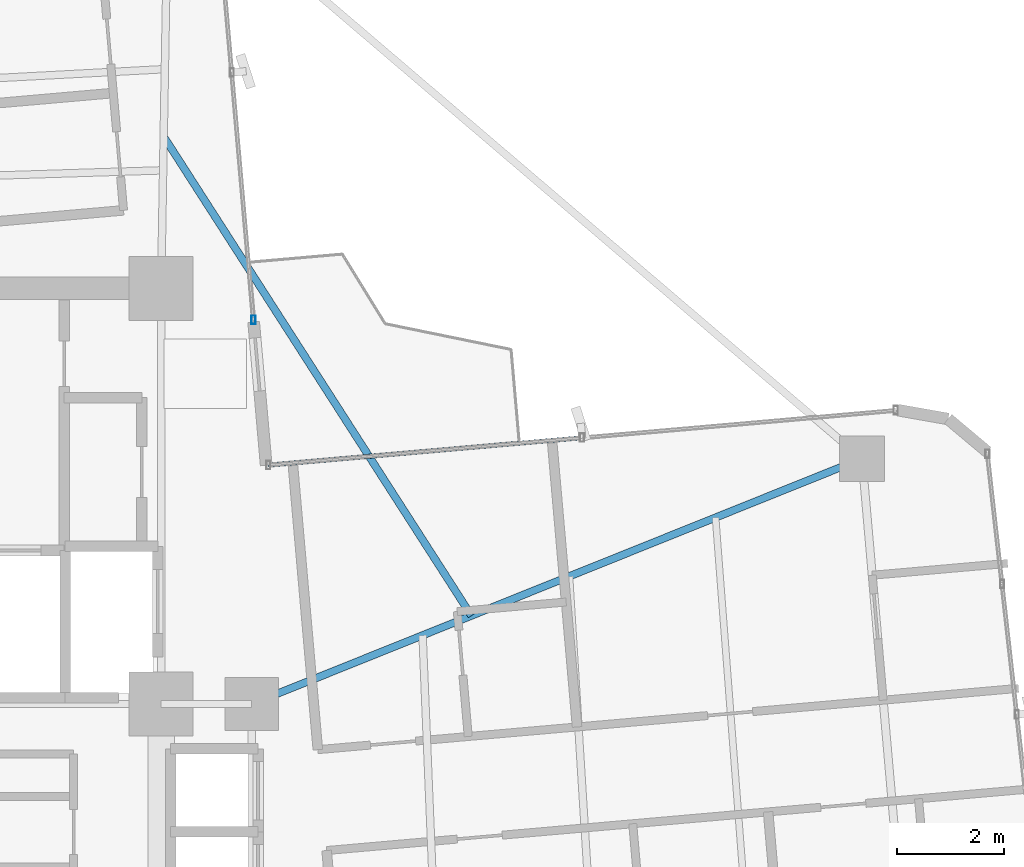
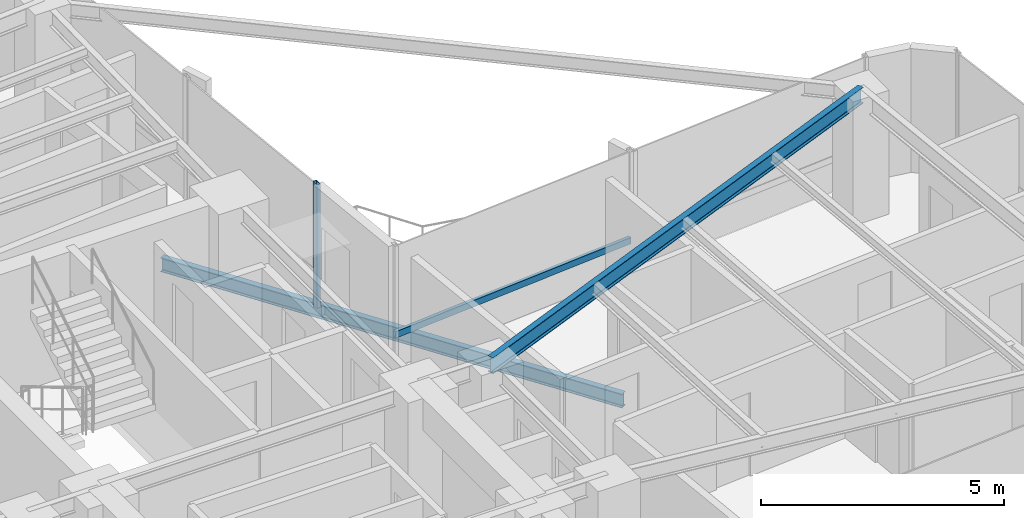
# One storey, part 12 of 24: 2 beams, 2 members, 2 elements without a shape of their own.
"""IFC4 building model written with IfcOpenShell, lengths in metres."""

from ifc_helpers import new_model, si_unit, direction, frame, origin, origin_2d, place, context, subcontext, project, spatial, hollow_rectangle, i_section, extrude, source, transform, mapped, material, material_profile, profile_set, type_object, element, aggregate, save


model = new_model("IFC4")

# Units and contexts
model_context = context("Model", 3, precision=1e-05, world=origin(), true_north=direction((0.0, 1.0)))
body_context = subcontext(model_context, "Body", "Model", "MODEL_VIEW")
ifc_project = project(units=[si_unit("LENGTHUNIT", "METRE"), si_unit("AREAUNIT", "SQUARE_METRE"), si_unit("VOLUMEUNIT", "CUBIC_METRE"), si_unit("PLANEANGLEUNIT", "RADIAN"), si_unit("MASSUNIT", "GRAM", prefix="KILO")], contexts=[model_context])

# Site, building, storey
site_placement = place(None, origin())
site = spatial("IfcSite", under=ifc_project, at=site_placement, CompositionType="ELEMENT")
building_placement = place(site_placement, origin())
building = spatial("IfcBuilding", under=site, at=building_placement, Name="Sahyath Konkavel Grand Hotel", CompositionType="ELEMENT")
storey_placement = place(building_placement, frame((0.0, 0.0, 188.60009765625)))
storey = spatial("IfcBuildingStorey", under=building, at=storey_placement, Name="L52", CompositionType="ELEMENT", Elevation=188.60009765625)

# Beam
ifc_material_1 = material(Name="Steel E350", Category="steel")
ifc_material_profile_1 = material_profile(ifc_material_1, i_section(OverallWidth=0.139892578125, OverallDepth=0.39990234375, WebThickness=0.0087890625, FlangeThickness=0.01611328125, FilletRadius=0.013916015625, at=origin_2d()), Name="ISMB 400")
ifc_profile_set_1 = profile_set([ifc_material_profile_1], Name="Steel E350")
beam_type_1 = type_object("IfcBeamType", Name="BM-ISMB400", PredefinedType="BEAM", material=ifc_profile_set_1)
shared_shape_1 = source(origin(), body_context, "Body", "SweptSolid", [
    extrude(i_section(OverallWidth=0.139892578125, OverallDepth=0.39990234375, WebThickness=0.0087890625, FlangeThickness=0.01611328125, FilletRadius=0.013916015625, at=origin_2d()), origin(), (0.0, 0.0, 1.0), 12.344970703125),
])
beam_1_placement = place(storey_placement, frame((5.5, 2.39990234375, 2.909912109375), z_axis=(0.927837014101, 0.372985891507, 0.0), x_axis=(-0.372985891507, 0.927837014101, 0.0)))
element("IfcBeam", 1, at=beam_1_placement, inside=storey, type_object=beam_type_1, Name="L52 Cruciform Radial Girder EB", PredefinedType="BEAM", context=body_context, shape_type="MappedRepresentation", body=[
    mapped(shared_shape_1, transform((0.0, 0.0, 0.0), scale=1.0)),
])

# Curtain wall, member
ifc_material_2 = material(Name="Anodised Bronze Aluminium & Low-E Glazing", Category="aluminium")
curtain_wall_type = type_object("IfcCurtainWallType", Name="CW-ZONE3", PredefinedType="NOTDEFINED", material=ifc_material_2)
curtain_wall_1_placement = place(storey_placement, origin())
curtain_wall_1 = element("IfcCurtainWall", 2, at=curtain_wall_1_placement, inside=storey, type_object=curtain_wall_type, Name="L52 Unitised Curtain Wall F8", PredefinedType="NOTDEFINED")
ifc_material_3 = material(Name="Anodised Bronze Aluminium", Category="aluminium")
ifc_material_profile_2 = material_profile(ifc_material_3, hollow_rectangle(XDim=0.080078125, YDim=0.159912109375, WallThickness=0.006103515625, at=origin_2d()), Name="RHS 160x80x6")
ifc_profile_set_2 = profile_set([ifc_material_profile_2], Name="Anodised Bronze Aluminium")
member_type_1 = type_object("IfcMemberType", Name="CW-MUL-160", PredefinedType="MULLION", material=ifc_profile_set_2)
shared_shape_2 = source(origin(), body_context, "Body", "SweptSolid", [
    extrude(hollow_rectangle(XDim=0.080078125, YDim=0.159912109375, WallThickness=0.006103515625, at=origin_2d()), origin(), (0.0, 0.0, 1.0), 3.10986328125),
])
member_1_placement = place(storey_placement, frame((5.53369140625, 9.60888671875, 0.0), z_axis=(0.0, 0.0, 1.0), x_axis=(1.0, 0.0, 0.0)))
member_1 = element("IfcMember", 3, at=member_1_placement, type_object=member_type_1, Name="L52 Curtain Wall Mullion F8-0", PredefinedType="MULLION", context=body_context, shape_type="MappedRepresentation", body=[
    mapped(shared_shape_2, transform((0.0, 0.0, 0.0), scale=1.0)),
])
aggregate(curtain_wall_1, [member_1])

curtain_wall_2_placement = place(storey_placement, origin())
curtain_wall_2 = element("IfcCurtainWall", 4, at=curtain_wall_2_placement, inside=storey, type_object=curtain_wall_type, Name="L52 Unitised Curtain Wall F7", PredefinedType="NOTDEFINED")
ifc_material_profile_3 = material_profile(ifc_material_3, hollow_rectangle(XDim=0.080078125, YDim=0.159912109375, WallThickness=0.006103515625, at=origin_2d()), Name="RHS 160x80x6")
ifc_profile_set_3 = profile_set([ifc_material_profile_3], Name="Anodised Bronze Aluminium")
member_type_2 = type_object("IfcMemberType", Name="CW-TRN-160", PredefinedType="USERDEFINED", material=ifc_profile_set_3)
shared_shape_3 = source(origin(), body_context, "Body", "SweptSolid", [
    extrude(hollow_rectangle(XDim=0.080078125, YDim=0.159912109375, WallThickness=0.006103515625, at=origin_2d()), origin(), (0.0, 0.0, 1.0), 5.909912109375),
])
member_2_placement = place(storey_placement, frame((11.69970703125, 7.39794921875, 0.849853515625), z_axis=(-0.996193941691, -0.087164388014, 0.0), x_axis=(0.087164388014, -0.996193941691, 0.0)))
member_2 = element("IfcMember", 5, at=member_2_placement, type_object=member_type_2, Name="L52 Curtain Wall Transom F7-1-spandrel", ObjectType="TRANSOM", PredefinedType="USERDEFINED", context=body_context, shape_type="MappedRepresentation", body=[
    mapped(shared_shape_3, transform((0.0, 0.0, 0.0), scale=1.0)),
])
aggregate(curtain_wall_2, [member_2])

# Beam
ifc_material_profile_4 = material_profile(ifc_material_1, i_section(OverallWidth=0.139892578125, OverallDepth=0.35009765625, WebThickness=0.008056640625, FlangeThickness=0.01416015625, FilletRadius=0.013916015625, at=origin_2d()), Name="ISMB 350")
ifc_profile_set_4 = profile_set([ifc_material_profile_4], Name="Steel E350")
beam_type_2 = type_object("IfcBeamType", Name="BM-BALC-CANT", PredefinedType="BEAM", material=ifc_profile_set_4)
shared_shape_4 = source(origin(), body_context, "Body", "SweptSolid", [
    extrude(i_section(OverallWidth=0.139892578125, OverallDepth=0.35009765625, WebThickness=0.008056640625, FlangeThickness=0.01416015625, FilletRadius=0.013916015625, at=origin_2d()), origin(), (0.0, 0.0, 1.0), 10.685302734375),
])
beam_2_placement = place(storey_placement, frame((9.62353515625, 4.0576171875, -0.4150390625), z_axis=(-0.540404181048, 0.841405562797, 0.0), x_axis=(-0.841405562797, -0.540404181048, 0.0)))
element("IfcBeam", 6, at=beam_2_placement, inside=storey, type_object=beam_type_2, Name="L52 Balcony Cantilever Support Beam NE", PredefinedType="BEAM", context=body_context, shape_type="MappedRepresentation", body=[
    mapped(shared_shape_4, transform((0.0, 0.0, 0.0), scale=1.0)),
])

save(model, "model.ifc")
